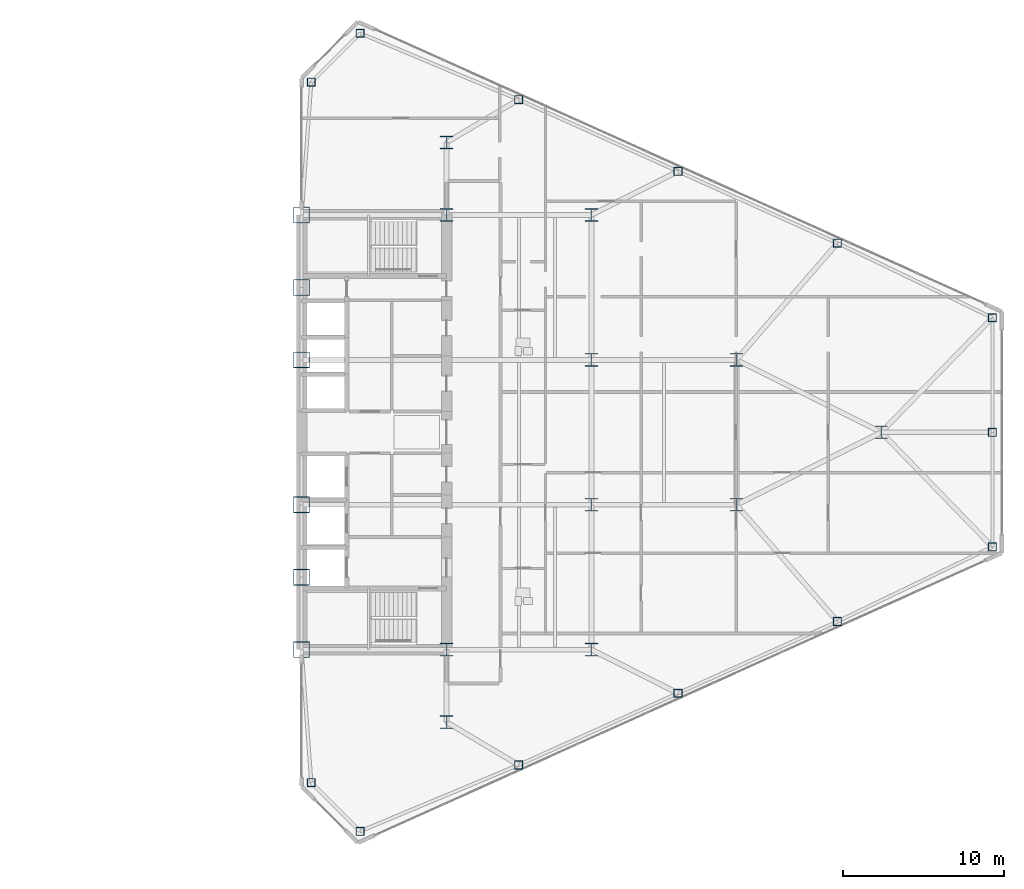
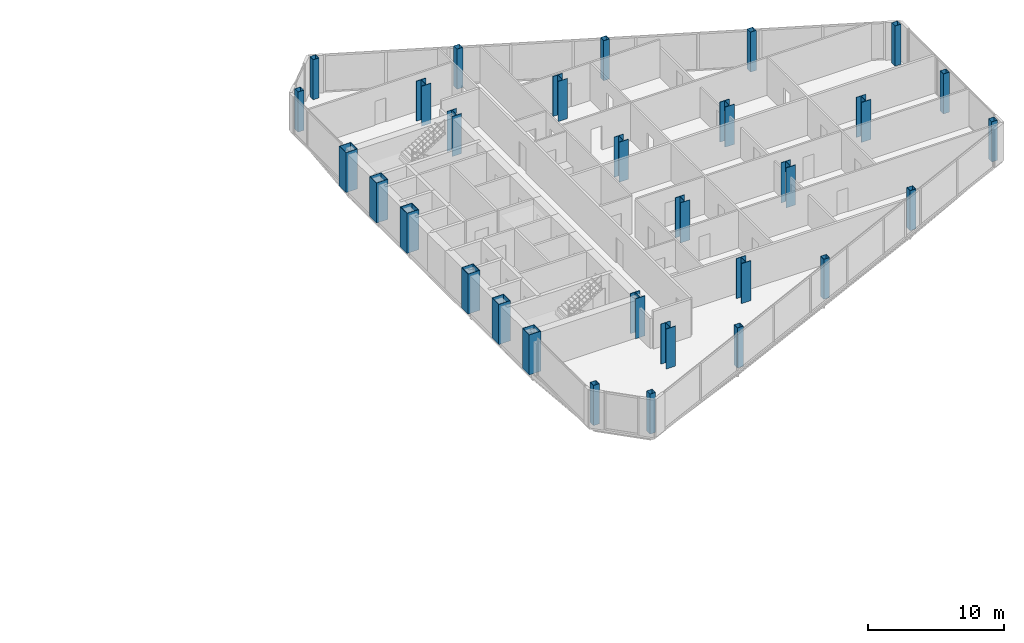
# One storey, part 2 of 27: 30 columns.
"""IFC4 building model written with IfcOpenShell, lengths in metres."""

import ifcopenshell
import ifcopenshell.guid

model = None  # the IFC model being written
_history = None  # IfcOwnerHistory: only IFC2X3 demands one
_inside = {}  # id of a spatial element -> (the spatial element, [elements in it])
_under = {}  # id of a project, library or spatial element -> (it, [spatial elements below it])
_declared = {}  # id of a project -> (the project, [libraries it declares])
_typed = {}  # id of a type object -> (the type object, [elements of that type])
_made_of = {}  # id of a material, layer set ... -> (it, [elements and type objects made of it])


def new_model(schema):
    """Start an empty IFC model of exactly this schema.

    Asked for "IFC4X3", IfcOpenShell would pick the latest addendum, in which some entities
    have other attributes; the version numbers below select the first issue.
    IFC2X3 requires an IfcOwnerHistory on every rooted entity: one is made here for all.
    """
    global model, _history
    if schema == "IFC4X3":
        model = ifcopenshell.file(schema_version=(4, 3, 0, 0))
    else:
        model = ifcopenshell.file(schema=schema)
    _inside.clear()
    _under.clear()
    _declared.clear()
    _typed.clear()
    _made_of.clear()
    _history = None
    if model.schema == "IFC2X3":
        org = make("IfcOrganization", Name="unknown")
        user = make(
            "IfcPersonAndOrganization",
            ThePerson=make("IfcPerson", FamilyName="unknown"),
            TheOrganization=org,
        )
        app = make(
            "IfcApplication",
            ApplicationDeveloper=org,
            Version="unknown",
            ApplicationFullName="unknown",
            ApplicationIdentifier="unknown",
        )
        _history = make(
            "IfcOwnerHistory",
            OwningUser=user,
            OwningApplication=app,
            ChangeAction="ADDED",
            CreationDate=0,
        )
    return model


def make(cls, **values):
    """One entity of the class cls with the attributes given. An attribute that is None is left unset."""
    return model.create_entity(
        cls, **{name: value for name, value in values.items() if value is not None}
    )


def rooted(cls, **values):
    """An entity with a GlobalId (a new one), such as an element, a storey or a relation."""
    return make(cls, GlobalId=ifcopenshell.guid.new(), OwnerHistory=_history, **values)


def si_unit(unit_type, name, prefix=None):
    """IfcSIUnit, for example si_unit("LENGTHUNIT", "METRE", prefix="MILLI")."""
    return make("IfcSIUnit", UnitType=unit_type, Prefix=prefix, Name=name)


def assignment(units):
    """IfcUnitAssignment: the units of a project."""
    return None if units is None else make("IfcUnitAssignment", Units=units)


def point(xyz):
    """IfcCartesianPoint."""
    return None if xyz is None else make("IfcCartesianPoint", Coordinates=xyz)


def direction(xyz):
    """IfcDirection."""
    return None if xyz is None else make("IfcDirection", DirectionRatios=xyz)


def frame(location, z_axis=None, x_axis=None):
    """IfcAxis2Placement3D, a coordinate frame: its origin and axes. An axis left out is left unset."""
    return make(
        "IfcAxis2Placement3D",
        Location=point(location),
        Axis=direction(z_axis),
        RefDirection=direction(x_axis),
    )


def frame_2d(location, x_axis=None):
    """IfcAxis2Placement2D, a coordinate frame in the plane: its origin and x axis."""
    return make(
        "IfcAxis2Placement2D", Location=point(location), RefDirection=direction(x_axis)
    )


def origin():
    """The frame at (0, 0, 0) with its axes left unset."""
    return frame((0.0, 0.0, 0.0))


def origin_2d():
    """The frame at (0, 0) in the plane with its x axis left unset."""
    return frame_2d((0.0, 0.0))


def place(relative_to, where):
    """IfcLocalPlacement: puts the frame where relative to a parent placement (None: the world)."""
    return make(
        "IfcLocalPlacement", PlacementRelTo=relative_to, RelativePlacement=where
    )


def context(
    kind, dimensions, precision=None, world=None, true_north=None, identifier=None
):
    """IfcGeometricRepresentationContext, for example the 3D "Model" context."""
    return make(
        "IfcGeometricRepresentationContext",
        ContextIdentifier=identifier,
        ContextType=kind,
        CoordinateSpaceDimension=dimensions,
        Precision=precision,
        WorldCoordinateSystem=world,
        TrueNorth=true_north,
    )


def subcontext(parent, identifier, kind, view, scale=None):
    """IfcGeometricRepresentationSubContext, for example "Body" below "Model"."""
    return make(
        "IfcGeometricRepresentationSubContext",
        ContextIdentifier=identifier,
        ContextType=kind,
        ParentContext=parent,
        TargetScale=scale,
        TargetView=view,
    )


def project(units=None, contexts=None):
    """IfcProject with its units and contexts."""
    return rooted(
        "IfcProject",
        Name="project",
        RepresentationContexts=contexts,
        UnitsInContext=assignment(units),
    )


def spatial(cls, under=None, at=None, **own):
    """A site, building, storey or space (cls), placed at a placement, below another one or the project."""
    s = rooted(cls, ObjectPlacement=at, **own)
    if under is not None:
        _under.setdefault(under.id(), (under, []))[1].append(s)
    return s


def profile(cls, at=None, kind="AREA", **sizes):
    """A parametric profile (cls). Its sizes go by their IFC names, for example OverallWidth=200.0."""
    return make(cls, ProfileType=kind, Position=at, **sizes)


def hollow_rectangle(**sizes):
    """IfcRectangleHollowProfileDef."""
    return profile("IfcRectangleHollowProfileDef", **sizes)


def i_section(**sizes):
    """IfcIShapeProfileDef."""
    return profile("IfcIShapeProfileDef", **sizes)


def extrude(swept, where, along, depth):
    """IfcExtrudedAreaSolid: the profile swept, set in the frame where, extruded along a direction by depth."""
    return make(
        "IfcExtrudedAreaSolid",
        SweptArea=swept,
        Position=where,
        ExtrudedDirection=direction(along),
        Depth=depth,
    )


def shape(context_of_items, identifier, shape_type, items):
    """IfcShapeRepresentation: the items that make up one representation, for example the "Body"."""
    return make(
        "IfcShapeRepresentation",
        ContextOfItems=context_of_items,
        RepresentationIdentifier=identifier,
        RepresentationType=shape_type,
        Items=items,
    )


def source(mapping_origin, context_of_items, identifier, shape_type, items):
    """IfcRepresentationMap: a shape defined once, which mapped items show again and again."""
    return make(
        "IfcRepresentationMap",
        MappingOrigin=mapping_origin,
        MappedRepresentation=shape(context_of_items, identifier, shape_type, items),
    )


def transform(
    local_origin,
    x_axis=None,
    y_axis=None,
    z_axis=None,
    scale=None,
    scale2=None,
    scale3=None,
    uniform=True,
):
    """IfcCartesianTransformationOperator3D, or its non-uniform kind. x_axis, y_axis, z_axis: its Axis1, 2, 3."""
    if uniform:
        return make(
            "IfcCartesianTransformationOperator3D",
            Axis1=direction(x_axis),
            Axis2=direction(y_axis),
            LocalOrigin=point(local_origin),
            Scale=scale,
            Axis3=direction(z_axis),
        )
    return make(
        "IfcCartesianTransformationOperator3DnonUniform",
        Axis1=direction(x_axis),
        Axis2=direction(y_axis),
        LocalOrigin=point(local_origin),
        Scale=scale,
        Axis3=direction(z_axis),
        Scale2=scale2,
        Scale3=scale3,
    )


def mapped(mapping_source, mapping_target):
    """IfcMappedItem: shows the shape of a source again, moved by a transform."""
    return make(
        "IfcMappedItem", MappingSource=mapping_source, MappingTarget=mapping_target
    )


def material(Name=None, Category=None):
    """IfcMaterial."""
    return make("IfcMaterial", Name=Name, Category=Category)


def material_profile(
    of_material, cross_section, Name=None, Category=None, Priority=None
):
    """IfcMaterialProfile: a cross section and its material."""
    return make(
        "IfcMaterialProfile",
        Name=Name,
        Material=of_material,
        Profile=cross_section,
        Priority=Priority,
        Category=Category,
    )


def profile_set(profiles, Name=None, composite=None):
    """IfcMaterialProfileSet."""
    return make(
        "IfcMaterialProfileSet",
        Name=Name,
        MaterialProfiles=profiles,
        CompositeProfile=composite,
    )


def made_of(thing, what):
    """Note that an element or type object is made of a material, layer set ...; save() writes the relation."""
    if what is not None:
        _made_of.setdefault(what.id(), (what, []))[1].append(thing)
    return thing


def type_object(cls, material=None, **own):
    """A type object (cls), such as IfcWallType, which elements share."""
    return made_of(rooted(cls, **own), material)


def type_shapes(of_type, sources):
    """Give a type object the sources (RepresentationMaps) that its elements show as mapped items."""
    of_type.RepresentationMaps = sources


def element(
    cls,
    number,
    at=None,
    inside=None,
    cuts=None,
    type_object=None,
    material=None,
    context=None,
    identifier="Body",
    shape_type=None,
    held_by="IfcProductDefinitionShape",
    body=None,
    shapes=None,
    **own,
):
    """One element of the class cls, such as IfcWall. Its Tag is "e" and its number.

    at: its placement. inside: the storey or other place that contains it. cuts: it is an
    opening in that element (IfcRelVoidsElement). A single representation is given by context,
    identifier, shape_type and body (its items); several are given by shapes. held_by: the class
    of the entity that holds the representations. save() writes the other relations.
    """
    e = rooted(cls, Tag="e%d" % number, ObjectPlacement=at, **own)
    if body is not None:
        shapes = [shape(context, identifier, shape_type, body)]
    if shapes is not None:
        e.Representation = make(held_by, Representations=shapes)
    if inside is not None:
        _inside.setdefault(inside.id(), (inside, []))[1].append(e)
    if cuts is not None:
        rooted(
            "IfcRelVoidsElement", RelatingBuildingElement=cuts, RelatedOpeningElement=e
        )
    if type_object is not None:
        _typed.setdefault(type_object.id(), (type_object, []))[1].append(e)
    return made_of(e, material)


def aggregate(whole, parts):
    """IfcRelAggregates: a whole, such as a stair, and the parts it consists of."""
    return rooted("IfcRelAggregates", RelatingObject=whole, RelatedObjects=parts)


def save(model, path):
    """Write the relations noted so far, then the file.

    IfcRelAggregates (storeys below a building ...), IfcRelContainedInSpatialStructure (elements
    in a storey), IfcRelDefinesByType, IfcRelAssociatesMaterial and IfcRelDeclares: one each for
    every whole, place, type object, material and project.
    """
    for whole, parts in _under.values():
        aggregate(whole, parts)
    for where, things in _inside.values():
        rooted(
            "IfcRelContainedInSpatialStructure",
            RelatedElements=things,
            RelatingStructure=where,
        )
    for kind, things in _typed.values():
        rooted("IfcRelDefinesByType", RelatedObjects=things, RelatingType=kind)
    for what, things in _made_of.values():
        rooted("IfcRelAssociatesMaterial", RelatedObjects=things, RelatingMaterial=what)
    for by, libraries in _declared.values():
        rooted("IfcRelDeclares", RelatingContext=by, RelatedDefinitions=libraries)
    model.write(path)


model = new_model("IFC4")

# Units and contexts
model_context = context("Model", 3, precision=1e-05, world=origin(), true_north=direction((0.0, 1.0)))
body_context = subcontext(model_context, "Body", "Model", "MODEL_VIEW")
ifc_project = project(units=[si_unit("LENGTHUNIT", "METRE"), si_unit("AREAUNIT", "SQUARE_METRE"), si_unit("VOLUMEUNIT", "CUBIC_METRE"), si_unit("PLANEANGLEUNIT", "RADIAN"), si_unit("MASSUNIT", "GRAM", prefix="KILO")], contexts=[model_context])

# Site, building, storey
site_placement = place(None, origin())
site = spatial("IfcSite", under=ifc_project, at=site_placement, CompositionType="ELEMENT")
building_placement = place(site_placement, origin())
building = spatial("IfcBuilding", under=site, at=building_placement, Name="Seokmaru Belvedere", CompositionType="ELEMENT")
storey_placement = place(building_placement, frame((0.0, 0.0, 92.39990234375)))
storey = spatial("IfcBuildingStorey", under=building, at=storey_placement, Name="L24", CompositionType="ELEMENT", Elevation=92.39990234375)

# Columns
ifc_material_1 = material(Name="Steel SM355 (355 MPa)", Category="steel")
ifc_material_profile_1 = material_profile(ifc_material_1, hollow_rectangle(XDim=0.5, YDim=0.5, WallThickness=0.02001953125, at=origin_2d()), Name="HSS-500x500x20")
ifc_profile_set_1 = profile_set([ifc_material_profile_1], Name="Steel SM355 (355 MPa)")
column_type_1 = type_object("IfcColumnType", Name="Perimeter Facet Column HSS-500", PredefinedType="COLUMN", material=ifc_profile_set_1)
shared_shape_1 = source(origin(), body_context, "Body", "SweptSolid", [
    extrude(hollow_rectangle(XDim=0.5, YDim=0.5, WallThickness=0.02001953125, at=origin_2d()), origin(), (0.0, 0.0, 1.0), 3.60009765625),
])
type_shapes(column_type_1, [shared_shape_1])
for number, where, z_axis, x_axis, name in (
    (1, (31.13134765625, -24.782958984375, 0.0), (0.0, 0.0, 1.0), (1.0, 0.0, 0.0), "L24 Column EF1"),
    (2, (70.39990234375, -7.112060546875, 0.0), (0.0, 0.0, 1.0), (1.0, 0.0, 0.0), "L24 Column EF2"),
    (3, (70.39990234375, 7.112060546875, 0.0), (0.0, 0.0, 1.0), (1.0, 0.0, 0.0), "L24 Column EF3"),
    (4, (31.13134765625, 24.782958984375, 0.0), (0.0, 0.0, 1.0), (1.0, 0.0, 0.0), "L24 Column EF4"),
    (5, (28.10009765625, 21.75146484375, 0.0), (0.0, 0.0, 1.0), (1.0, 0.0, 0.0), "L24 Column EF5"),
    (6, (28.10009765625, -21.75146484375, 0.0), (0.0, 0.0, 1.0), (1.0, 0.0, 0.0), "L24 Column EF6"),
    (7, (40.97265625, -20.661376953125, 0.0), (0.0, 0.0, 1.0), (1.0, 0.0, 0.0), "L24 Column EFLK_S1"),
    (8, (50.875, -16.205322265625, 0.0), (0.0, 0.0, 1.0), (1.0, 0.0, 0.0), "L24 Column EFLK_S2"),
    (9, (60.777587890625, -11.749267578125, 0.0), (0.0, 0.0, 1.0), (1.0, 0.0, 0.0), "L24 Column EFLK_S3"),
    (10, (40.97265625, 20.661376953125, 0.0), (0.0, 0.0, 1.0), (1.0, 0.0, 0.0), "L24 Column EFLK_N1"),
    (11, (50.875, 16.205322265625, 0.0), (0.0, 0.0, 1.0), (1.0, 0.0, 0.0), "L24 Column EFLK_N2"),
    (12, (60.777587890625, 11.749267578125, 0.0), (0.0, 0.0, 1.0), (1.0, 0.0, 0.0), "L24 Column EFLK_N3"),
    (13, (70.39990234375, 0.0, 0.0), (0.0, 0.0, 1.0), (1.0, 0.0, 0.0), "L24 Column EF_APXM"),
):
    element("IfcColumn", number, at=place(storey_placement, frame(where, z_axis=z_axis, x_axis=x_axis)), inside=storey, type_object=column_type_1, Name=name, PredefinedType="COLUMN", context=body_context, shape_type="MappedRepresentation", body=[
        mapped(shared_shape_1, transform((0.0, 0.0, 0.0), scale=1.0)),
    ])
ifc_material_2 = material(Name="Steel HSA650 (650 MPa)", Category="steel")
ifc_material_profile_2 = material_profile(ifc_material_2, hollow_rectangle(XDim=1.0, YDim=1.0, WallThickness=0.0419921875, at=origin_2d()), Name="BOX-1000x1000x42")
ifc_profile_set_2 = profile_set([ifc_material_profile_2], Name="Steel HSA650 (650 MPa)")
column_type_2 = type_object("IfcColumnType", Name="Portal Spine Column BOX-1000", PredefinedType="COLUMN", material=ifc_profile_set_2)
shared_shape_2 = source(origin(), body_context, "Body", "SweptSolid", [
    extrude(hollow_rectangle(XDim=1.0, YDim=1.0, WallThickness=0.0419921875, at=origin_2d()), origin(), (0.0, 0.0, 1.0), 3.60009765625),
])
type_shapes(column_type_2, [shared_shape_2])
for number, where, z_axis, x_axis, name in (
    (14, (27.5, -13.5, 0.0), (0.0, 0.0, 1.0), (1.0, 0.0, 0.0), "L24 Column ES1"),
    (15, (27.5, -9.0, 0.0), (0.0, 0.0, 1.0), (1.0, 0.0, 0.0), "L24 Column ES2"),
    (16, (27.5, -4.5, 0.0), (0.0, 0.0, 1.0), (1.0, 0.0, 0.0), "L24 Column ES3"),
    (17, (27.5, 4.5, 0.0), (0.0, 0.0, 1.0), (1.0, 0.0, 0.0), "L24 Column ES4"),
    (18, (27.5, 9.0, 0.0), (0.0, 0.0, 1.0), (1.0, 0.0, 0.0), "L24 Column ES5"),
    (19, (27.5, 13.5, 0.0), (0.0, 0.0, 1.0), (1.0, 0.0, 0.0), "L24 Column ES6"),
):
    element("IfcColumn", number, at=place(storey_placement, frame(where, z_axis=z_axis, x_axis=x_axis)), inside=storey, type_object=column_type_2, Name=name, PredefinedType="COLUMN", context=body_context, shape_type="MappedRepresentation", body=[
        mapped(shared_shape_2, transform((0.0, 0.0, 0.0), scale=1.0)),
    ])
ifc_material_profile_3 = material_profile(ifc_material_1, i_section(OverallWidth=0.800048828125, OverallDepth=0.800048828125, WebThickness=0.031982421875, FlangeThickness=0.050048828125, at=origin_2d()), Name="H-800x800x32x50")
ifc_profile_set_3 = profile_set([ifc_material_profile_3], Name="Steel SM355 (355 MPa)")
column_type_3 = type_object("IfcColumnType", Name="Lower-Mid Interior Column H-800", PredefinedType="COLUMN", material=ifc_profile_set_3)
shared_shape_3 = source(origin(), body_context, "Body", "SweptSolid", [
    extrude(i_section(OverallWidth=0.800048828125, OverallDepth=0.800048828125, WebThickness=0.031982421875, FlangeThickness=0.050048828125, at=origin_2d()), origin(), (0.0, 0.0, 1.0), 3.60009765625),
])
type_shapes(column_type_3, [shared_shape_3])
for number, where, z_axis, x_axis, name in (
    (20, (36.5, -18.0, 0.0), (0.0, 0.0, 1.0), (1.0, 0.0, 0.0), "L24 Column EC1"),
    (21, (36.5, -13.5, 0.0), (0.0, 0.0, 1.0), (1.0, 0.0, 0.0), "L24 Column EC2"),
    (22, (36.5, 13.5, 0.0), (0.0, 0.0, 1.0), (1.0, 0.0, 0.0), "L24 Column EC3"),
    (23, (36.5, 18.0, 0.0), (0.0, 0.0, 1.0), (1.0, 0.0, 0.0), "L24 Column EC4"),
    (24, (45.5, -13.5, 0.0), (0.0, 0.0, 1.0), (1.0, 0.0, 0.0), "L24 Column EG5_1"),
    (25, (45.5, -4.5, 0.0), (0.0, 0.0, 1.0), (1.0, 0.0, 0.0), "L24 Column EG5_2"),
    (26, (45.5, 4.5, 0.0), (0.0, 0.0, 1.0), (1.0, 0.0, 0.0), "L24 Column EG5_3"),
    (27, (45.5, 13.5, 0.0), (0.0, 0.0, 1.0), (1.0, 0.0, 0.0), "L24 Column EG5_4"),
    (28, (54.5, -4.5, 0.0), (0.0, 0.0, 1.0), (1.0, 0.0, 0.0), "L24 Column EG4P_1"),
    (29, (54.5, 4.5, 0.0), (0.0, 0.0, 1.0), (1.0, 0.0, 0.0), "L24 Column EG4P_2"),
    (30, (63.5, 0.0, 0.0), (0.0, 0.0, 1.0), (1.0, 0.0, 0.0), "L24 Column EG3P_1"),
):
    element("IfcColumn", number, at=place(storey_placement, frame(where, z_axis=z_axis, x_axis=x_axis)), inside=storey, type_object=column_type_3, Name=name, PredefinedType="COLUMN", context=body_context, shape_type="MappedRepresentation", body=[
        mapped(shared_shape_3, transform((0.0, 0.0, 0.0), scale=1.0)),
    ])

save(model, "model.ifc")
